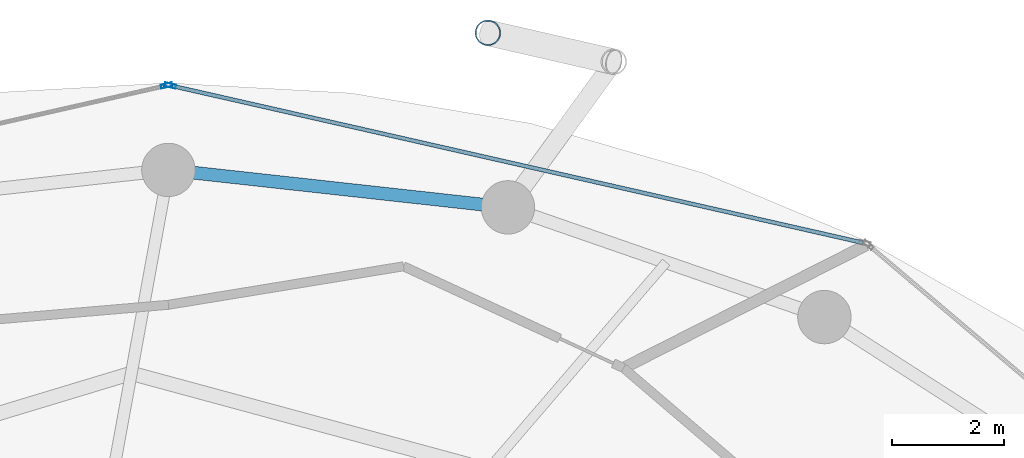
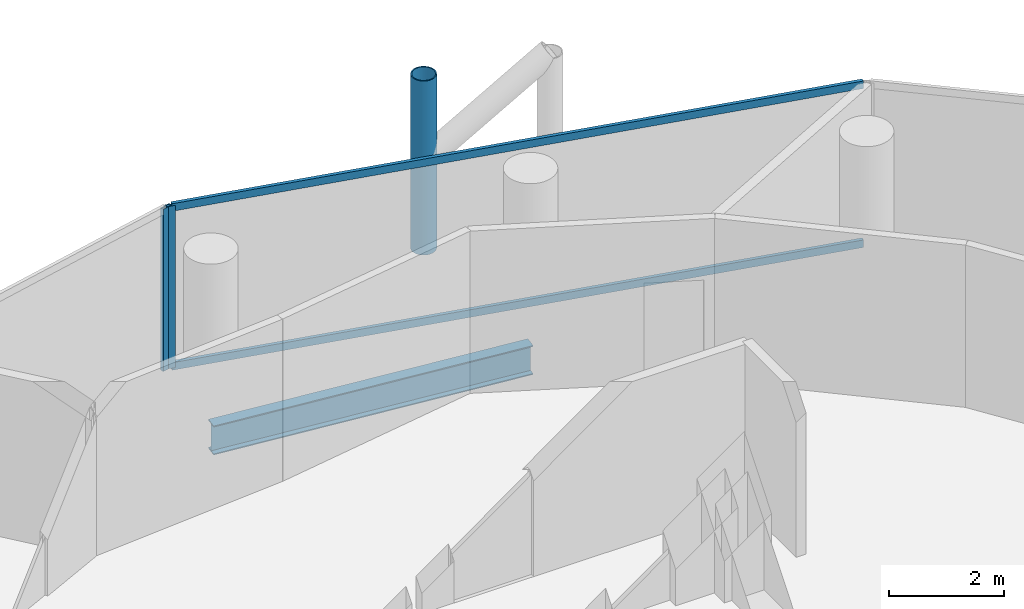
# One storey, part 17 of 26: 5 members, 1 beam, 2 elements without a shape of their own.
"""IFC4 building model written with IfcOpenShell, lengths in metres."""

from ifc_helpers import new_model, si_unit, direction, frame, origin, origin_2d, place, context, subcontext, project, spatial, hollow_rectangle, hollow_circle, i_section, extrude, material, layer, layer_set, material_profile, profile_set, type_object, element, aggregate, save


model = new_model("IFC4")

# Units and contexts
model_context = context("Model", 3, precision=1e-05, world=origin(), true_north=direction((0.0, 1.0)))
body_context = subcontext(model_context, "Body", "Model", "MODEL_VIEW")
ifc_project = project(units=[si_unit("LENGTHUNIT", "METRE"), si_unit("AREAUNIT", "SQUARE_METRE"), si_unit("VOLUMEUNIT", "CUBIC_METRE"), si_unit("PLANEANGLEUNIT", "RADIAN"), si_unit("MASSUNIT", "GRAM", prefix="KILO")], contexts=[model_context])

# Site, building, storey
site_placement = place(None, origin())
site = spatial("IfcSite", under=ifc_project, at=site_placement, CompositionType="ELEMENT")
building_placement = place(site_placement, origin())
building = spatial("IfcBuilding", under=site, at=building_placement, Name="Nuhasar Tower", CompositionType="ELEMENT")
storey_placement = place(building_placement, frame((0.0, 0.0, 184.85009765625)))
storey = spatial("IfcBuildingStorey", under=building, at=storey_placement, Name="L45", CompositionType="ELEMENT", Elevation=184.85009765625)

# Beam
ifc_material_1 = material(Name="Steel S355", Category="steel")
ifc_material_profile_1 = material_profile(ifc_material_1, i_section(OverallWidth=0.22998046875, OverallDepth=0.616943359375, WebThickness=0.01318359375, FlangeThickness=0.022216796875, at=origin_2d()), Name="W24X94")
ifc_profile_set_1 = profile_set([ifc_material_profile_1], Name="Steel S355")
beam_type = type_object("IfcBeamType", Name="BM-RING-W24X94", PredefinedType="SPANDREL", material=ifc_profile_set_1)
beam_placement = place(storey_placement, frame((45.04296875, 45.68408203125, -0.55908203125), z_axis=(-0.993981289157, 0.109549974015, 0.0), x_axis=(-0.109549974015, -0.993981289157, 0.0)))
element("IfcBeam", 1, at=beam_placement, inside=storey, type_object=beam_type, Name="L45 Perimeter Ring Spandrel 06", PredefinedType="SPANDREL", context=body_context, shape_type="SweptSolid", body=[
    extrude(i_section(OverallWidth=0.22998046875, OverallDepth=0.616943359375, WebThickness=0.01318359375, FlangeThickness=0.022216796875, at=origin_2d()), origin(), (0.0, 0.0, 1.0), 6.07958984375),
])

# Curtain wall, member
ifc_material_2 = material(Name="Aluminium 6063-T6", Category="aluminium")
ifc_layer = layer(ifc_material_2, 0.199951171875)
ifc_layer_set = layer_set([ifc_layer], Name="Aluminium 6063-T6")
curtain_wall_type = type_object("IfcCurtainWallType", Name="CW-Z2-HTL", PredefinedType="NOTDEFINED", material=ifc_layer_set)
curtain_wall_1_placement = place(storey_placement, origin())
curtain_wall_1 = element("IfcCurtainWall", 2, at=curtain_wall_1_placement, inside=storey, type_object=curtain_wall_type, Name="L45 Unitised Curtain Wall 03", PredefinedType="NOTDEFINED")
ifc_material_profile_2 = material_profile(ifc_material_2, hollow_rectangle(XDim=0.070068359375, YDim=0.199951171875, WallThickness=0.0048828125, at=origin_2d()), Name="CWM-3")
ifc_profile_set_2 = profile_set([ifc_material_profile_2], Name="Aluminium 6063-T6")
member_type_1 = type_object("IfcMemberType", Name="CW-MUL-S3", PredefinedType="MULLION", material=ifc_profile_set_2)
member_1_placement = place(storey_placement, frame((39.0341796875, 47.852294921875, 0.0), z_axis=(0.0, 0.0, 1.0), x_axis=(-0.22139729566, -0.975183694221, 0.0)))
member_1 = element("IfcMember", 3, at=member_1_placement, type_object=member_type_1, Name="CW-Z2 mullion 2", PredefinedType="MULLION", context=body_context, shape_type="SweptSolid", body=[
    extrude(hollow_rectangle(XDim=0.070068359375, YDim=0.199951171875, WallThickness=0.0048828125, at=origin_2d()), origin(), (0.0, 0.0, 1.0), 3.449951171875),
])

curtain_wall_2_placement = place(storey_placement, origin())
curtain_wall_2 = element("IfcCurtainWall", 4, at=curtain_wall_2_placement, inside=storey, type_object=curtain_wall_type, Name="L45 Unitised Curtain Wall 04", PredefinedType="NOTDEFINED")
member_2_placement = place(storey_placement, frame((38.9658203125, 47.852294921875, 0.0), z_axis=(0.0, 0.0, 1.0), x_axis=(0.22139729566, -0.975183694221, 0.0)))
member_2 = element("IfcMember", 5, at=member_2_placement, type_object=member_type_1, Name="CW-Z2 mullion 1", PredefinedType="MULLION", context=body_context, shape_type="SweptSolid", body=[
    extrude(hollow_rectangle(XDim=0.070068359375, YDim=0.199951171875, WallThickness=0.0048828125, at=origin_2d()), origin(), (0.0, 0.0, 1.0), 3.449951171875),
])
aggregate(curtain_wall_2, [member_2])

# Member
ifc_material_profile_3 = material_profile(ifc_material_2, hollow_rectangle(XDim=0.070068359375, YDim=0.159912109375, WallThickness=0.00439453125, at=origin_2d()), Name="CWT-3")
ifc_profile_set_3 = profile_set([ifc_material_profile_3], Name="Aluminium 6063-T6")
member_type_2 = type_object("IfcMemberType", Name="CW-TRN-S3", PredefinedType="USERDEFINED", material=ifc_profile_set_3)
member_3_placement = place(storey_placement, frame((51.36181640625, 45.053466796875, 0.034912109375), z_axis=(-0.975183434528, 0.221398439519, 0.0), x_axis=(-0.221398439519, -0.975183434528, 0.0)))
member_3 = element("IfcMember", 6, at=member_3_placement, type_object=member_type_2, Name="CW-Z2 transom 1.1", ObjectType="TRANSOM", PredefinedType="USERDEFINED", context=body_context, shape_type="SweptSolid", body=[
    extrude(hollow_rectangle(XDim=0.070068359375, YDim=0.159912109375, WallThickness=0.00439453125, at=origin_2d()), origin(), (0.0, 0.0, 1.0), 12.606201171875),
])

member_4_placement = place(storey_placement, frame((51.36181640625, 45.053466796875, 3.414794921875), z_axis=(-0.975183434528, 0.221398439519, 0.0), x_axis=(-0.221398439519, -0.975183434528, 0.0)))
member_4 = element("IfcMember", 7, at=member_4_placement, type_object=member_type_2, Name="CW-Z2 transom 1.2", ObjectType="TRANSOM", PredefinedType="USERDEFINED", context=body_context, shape_type="SweptSolid", body=[
    extrude(hollow_rectangle(XDim=0.070068359375, YDim=0.159912109375, WallThickness=0.00439453125, at=origin_2d()), origin(), (0.0, 0.0, 1.0), 12.606201171875),
])

aggregate(curtain_wall_1, [member_1, member_3, member_4])

ifc_material_3 = material(Name="Steel S460", Category="steel")
ifc_material_profile_4 = material_profile(ifc_material_3, hollow_circle(Radius=0.228515625, WallThickness=0.022216796875, at=origin_2d()), Name="HSS457X22.2")
ifc_profile_set_4 = profile_set([ifc_material_profile_4], Name="Steel S460")
member_type_3 = type_object("IfcMemberType", Name="EXO-BRONZE-457", PredefinedType="BRACE", material=ifc_profile_set_4)
member_5_placement = place(storey_placement, frame((44.68603515625, 48.7900390625, 0.0), z_axis=(0.0, 0.0, 1.0), x_axis=(1.0, 0.0, 0.0)))
element("IfcMember", 8, at=member_5_placement, inside=storey, type_object=member_type_3, Name="L45 Exoskeleton Chord Column EC-03B", PredefinedType="BRACE", context=body_context, shape_type="SweptSolid", body=[
    extrude(hollow_circle(Radius=0.228515625, WallThickness=0.022216796875, at=origin_2d()), origin(), (0.0, 0.0, 1.0), 3.699951171875),
])

save(model, "model.ifc")
